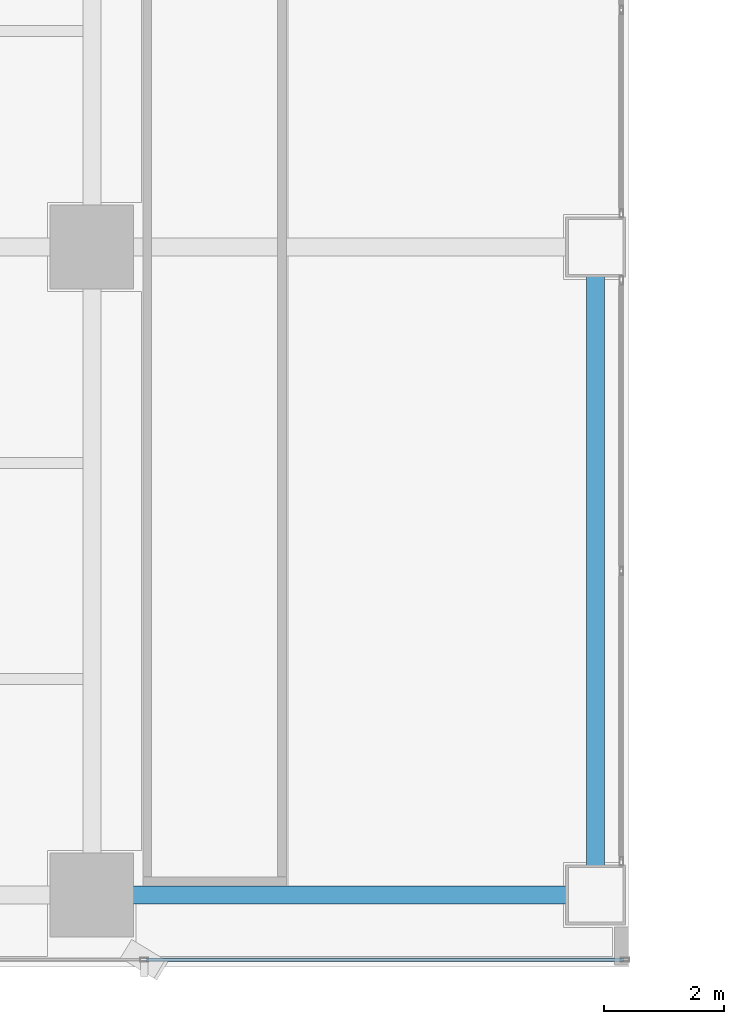
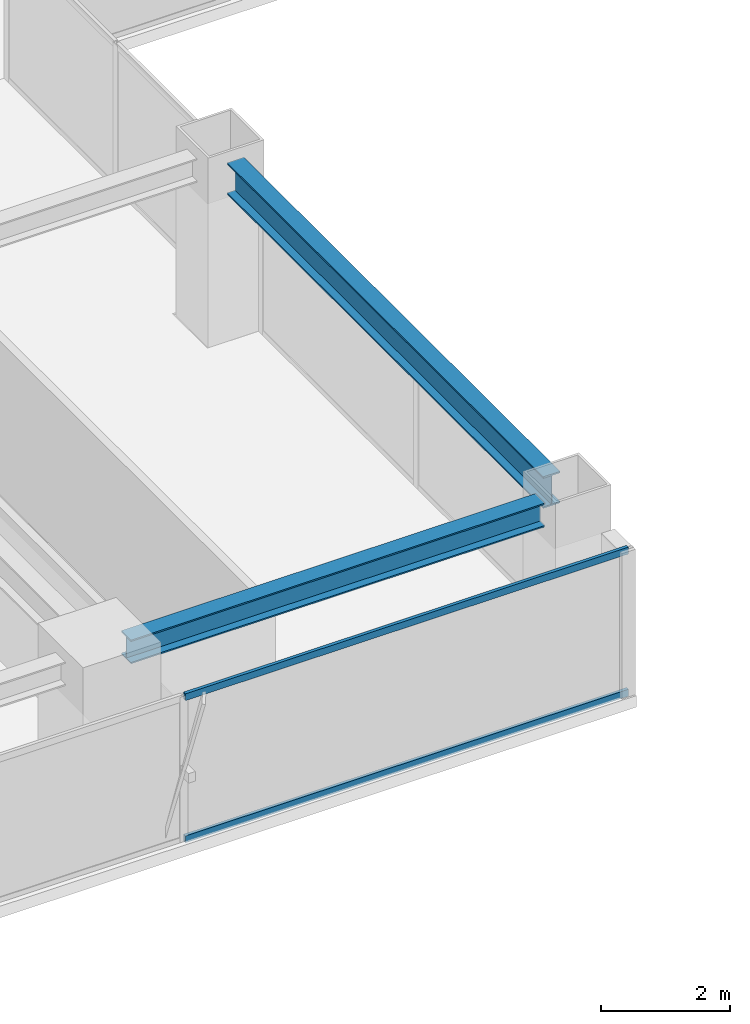
# One storey, part 3 of 29: 2 beams, 2 members, 1 element without a shape of its own.
"""IFC4 building model written with IfcOpenShell, lengths in metres."""

import ifcopenshell
import ifcopenshell.guid

model = None  # the IFC model being written
_history = None  # IfcOwnerHistory: only IFC2X3 demands one
_inside = {}  # id of a spatial element -> (the spatial element, [elements in it])
_under = {}  # id of a project, library or spatial element -> (it, [spatial elements below it])
_declared = {}  # id of a project -> (the project, [libraries it declares])
_typed = {}  # id of a type object -> (the type object, [elements of that type])
_made_of = {}  # id of a material, layer set ... -> (it, [elements and type objects made of it])


def new_model(schema):
    """Start an empty IFC model of exactly this schema.

    Asked for "IFC4X3", IfcOpenShell would pick the latest addendum, in which some entities
    have other attributes; the version numbers below select the first issue.
    IFC2X3 requires an IfcOwnerHistory on every rooted entity: one is made here for all.
    """
    global model, _history
    if schema == "IFC4X3":
        model = ifcopenshell.file(schema_version=(4, 3, 0, 0))
    else:
        model = ifcopenshell.file(schema=schema)
    _inside.clear()
    _under.clear()
    _declared.clear()
    _typed.clear()
    _made_of.clear()
    _history = None
    if model.schema == "IFC2X3":
        org = make("IfcOrganization", Name="unknown")
        user = make(
            "IfcPersonAndOrganization",
            ThePerson=make("IfcPerson", FamilyName="unknown"),
            TheOrganization=org,
        )
        app = make(
            "IfcApplication",
            ApplicationDeveloper=org,
            Version="unknown",
            ApplicationFullName="unknown",
            ApplicationIdentifier="unknown",
        )
        _history = make(
            "IfcOwnerHistory",
            OwningUser=user,
            OwningApplication=app,
            ChangeAction="ADDED",
            CreationDate=0,
        )
    return model


def make(cls, **values):
    """One entity of the class cls with the attributes given. An attribute that is None is left unset."""
    return model.create_entity(
        cls, **{name: value for name, value in values.items() if value is not None}
    )


def rooted(cls, **values):
    """An entity with a GlobalId (a new one), such as an element, a storey or a relation."""
    return make(cls, GlobalId=ifcopenshell.guid.new(), OwnerHistory=_history, **values)


def si_unit(unit_type, name, prefix=None):
    """IfcSIUnit, for example si_unit("LENGTHUNIT", "METRE", prefix="MILLI")."""
    return make("IfcSIUnit", UnitType=unit_type, Prefix=prefix, Name=name)


def assignment(units):
    """IfcUnitAssignment: the units of a project."""
    return None if units is None else make("IfcUnitAssignment", Units=units)


def point(xyz):
    """IfcCartesianPoint."""
    return None if xyz is None else make("IfcCartesianPoint", Coordinates=xyz)


def direction(xyz):
    """IfcDirection."""
    return None if xyz is None else make("IfcDirection", DirectionRatios=xyz)


def frame(location, z_axis=None, x_axis=None):
    """IfcAxis2Placement3D, a coordinate frame: its origin and axes. An axis left out is left unset."""
    return make(
        "IfcAxis2Placement3D",
        Location=point(location),
        Axis=direction(z_axis),
        RefDirection=direction(x_axis),
    )


def frame_2d(location, x_axis=None):
    """IfcAxis2Placement2D, a coordinate frame in the plane: its origin and x axis."""
    return make(
        "IfcAxis2Placement2D", Location=point(location), RefDirection=direction(x_axis)
    )


def origin():
    """The frame at (0, 0, 0) with its axes left unset."""
    return frame((0.0, 0.0, 0.0))


def origin_2d():
    """The frame at (0, 0) in the plane with its x axis left unset."""
    return frame_2d((0.0, 0.0))


def place(relative_to, where):
    """IfcLocalPlacement: puts the frame where relative to a parent placement (None: the world)."""
    return make(
        "IfcLocalPlacement", PlacementRelTo=relative_to, RelativePlacement=where
    )


def context(
    kind, dimensions, precision=None, world=None, true_north=None, identifier=None
):
    """IfcGeometricRepresentationContext, for example the 3D "Model" context."""
    return make(
        "IfcGeometricRepresentationContext",
        ContextIdentifier=identifier,
        ContextType=kind,
        CoordinateSpaceDimension=dimensions,
        Precision=precision,
        WorldCoordinateSystem=world,
        TrueNorth=true_north,
    )


def subcontext(parent, identifier, kind, view, scale=None):
    """IfcGeometricRepresentationSubContext, for example "Body" below "Model"."""
    return make(
        "IfcGeometricRepresentationSubContext",
        ContextIdentifier=identifier,
        ContextType=kind,
        ParentContext=parent,
        TargetScale=scale,
        TargetView=view,
    )


def project(units=None, contexts=None):
    """IfcProject with its units and contexts."""
    return rooted(
        "IfcProject",
        Name="project",
        RepresentationContexts=contexts,
        UnitsInContext=assignment(units),
    )


def spatial(cls, under=None, at=None, **own):
    """A site, building, storey or space (cls), placed at a placement, below another one or the project."""
    s = rooted(cls, ObjectPlacement=at, **own)
    if under is not None:
        _under.setdefault(under.id(), (under, []))[1].append(s)
    return s


def profile(cls, at=None, kind="AREA", **sizes):
    """A parametric profile (cls). Its sizes go by their IFC names, for example OverallWidth=200.0."""
    return make(cls, ProfileType=kind, Position=at, **sizes)


def hollow_rectangle(**sizes):
    """IfcRectangleHollowProfileDef."""
    return profile("IfcRectangleHollowProfileDef", **sizes)


def i_section(**sizes):
    """IfcIShapeProfileDef."""
    return profile("IfcIShapeProfileDef", **sizes)


def extrude(swept, where, along, depth):
    """IfcExtrudedAreaSolid: the profile swept, set in the frame where, extruded along a direction by depth."""
    return make(
        "IfcExtrudedAreaSolid",
        SweptArea=swept,
        Position=where,
        ExtrudedDirection=direction(along),
        Depth=depth,
    )


def shape(context_of_items, identifier, shape_type, items):
    """IfcShapeRepresentation: the items that make up one representation, for example the "Body"."""
    return make(
        "IfcShapeRepresentation",
        ContextOfItems=context_of_items,
        RepresentationIdentifier=identifier,
        RepresentationType=shape_type,
        Items=items,
    )


def source(mapping_origin, context_of_items, identifier, shape_type, items):
    """IfcRepresentationMap: a shape defined once, which mapped items show again and again."""
    return make(
        "IfcRepresentationMap",
        MappingOrigin=mapping_origin,
        MappedRepresentation=shape(context_of_items, identifier, shape_type, items),
    )


def transform(
    local_origin,
    x_axis=None,
    y_axis=None,
    z_axis=None,
    scale=None,
    scale2=None,
    scale3=None,
    uniform=True,
):
    """IfcCartesianTransformationOperator3D, or its non-uniform kind. x_axis, y_axis, z_axis: its Axis1, 2, 3."""
    if uniform:
        return make(
            "IfcCartesianTransformationOperator3D",
            Axis1=direction(x_axis),
            Axis2=direction(y_axis),
            LocalOrigin=point(local_origin),
            Scale=scale,
            Axis3=direction(z_axis),
        )
    return make(
        "IfcCartesianTransformationOperator3DnonUniform",
        Axis1=direction(x_axis),
        Axis2=direction(y_axis),
        LocalOrigin=point(local_origin),
        Scale=scale,
        Axis3=direction(z_axis),
        Scale2=scale2,
        Scale3=scale3,
    )


def mapped(mapping_source, mapping_target):
    """IfcMappedItem: shows the shape of a source again, moved by a transform."""
    return make(
        "IfcMappedItem", MappingSource=mapping_source, MappingTarget=mapping_target
    )


def material(Name=None, Category=None):
    """IfcMaterial."""
    return make("IfcMaterial", Name=Name, Category=Category)


def layer(
    of_material, thickness, ventilated=None, Name=None, Category=None, Priority=None
):
    """IfcMaterialLayer: one layer of a wall or slab, of a material (None: an air gap)."""
    return make(
        "IfcMaterialLayer",
        Material=of_material,
        LayerThickness=thickness,
        IsVentilated=ventilated,
        Name=Name,
        Category=Category,
        Priority=Priority,
    )


def layer_set(layers, Name=None):
    """IfcMaterialLayerSet."""
    return make("IfcMaterialLayerSet", MaterialLayers=layers, LayerSetName=Name)


def material_profile(
    of_material, cross_section, Name=None, Category=None, Priority=None
):
    """IfcMaterialProfile: a cross section and its material."""
    return make(
        "IfcMaterialProfile",
        Name=Name,
        Material=of_material,
        Profile=cross_section,
        Priority=Priority,
        Category=Category,
    )


def profile_set(profiles, Name=None, composite=None):
    """IfcMaterialProfileSet."""
    return make(
        "IfcMaterialProfileSet",
        Name=Name,
        MaterialProfiles=profiles,
        CompositeProfile=composite,
    )


def made_of(thing, what):
    """Note that an element or type object is made of a material, layer set ...; save() writes the relation."""
    if what is not None:
        _made_of.setdefault(what.id(), (what, []))[1].append(thing)
    return thing


def type_object(cls, material=None, **own):
    """A type object (cls), such as IfcWallType, which elements share."""
    return made_of(rooted(cls, **own), material)


def element(
    cls,
    number,
    at=None,
    inside=None,
    cuts=None,
    type_object=None,
    material=None,
    context=None,
    identifier="Body",
    shape_type=None,
    held_by="IfcProductDefinitionShape",
    body=None,
    shapes=None,
    **own,
):
    """One element of the class cls, such as IfcWall. Its Tag is "e" and its number.

    at: its placement. inside: the storey or other place that contains it. cuts: it is an
    opening in that element (IfcRelVoidsElement). A single representation is given by context,
    identifier, shape_type and body (its items); several are given by shapes. held_by: the class
    of the entity that holds the representations. save() writes the other relations.
    """
    e = rooted(cls, Tag="e%d" % number, ObjectPlacement=at, **own)
    if body is not None:
        shapes = [shape(context, identifier, shape_type, body)]
    if shapes is not None:
        e.Representation = make(held_by, Representations=shapes)
    if inside is not None:
        _inside.setdefault(inside.id(), (inside, []))[1].append(e)
    if cuts is not None:
        rooted(
            "IfcRelVoidsElement", RelatingBuildingElement=cuts, RelatedOpeningElement=e
        )
    if type_object is not None:
        _typed.setdefault(type_object.id(), (type_object, []))[1].append(e)
    return made_of(e, material)


def aggregate(whole, parts):
    """IfcRelAggregates: a whole, such as a stair, and the parts it consists of."""
    return rooted("IfcRelAggregates", RelatingObject=whole, RelatedObjects=parts)


def save(model, path):
    """Write the relations noted so far, then the file.

    IfcRelAggregates (storeys below a building ...), IfcRelContainedInSpatialStructure (elements
    in a storey), IfcRelDefinesByType, IfcRelAssociatesMaterial and IfcRelDeclares: one each for
    every whole, place, type object, material and project.
    """
    for whole, parts in _under.values():
        aggregate(whole, parts)
    for where, things in _inside.values():
        rooted(
            "IfcRelContainedInSpatialStructure",
            RelatedElements=things,
            RelatingStructure=where,
        )
    for kind, things in _typed.values():
        rooted("IfcRelDefinesByType", RelatedObjects=things, RelatingType=kind)
    for what, things in _made_of.values():
        rooted("IfcRelAssociatesMaterial", RelatedObjects=things, RelatingMaterial=what)
    for by, libraries in _declared.values():
        rooted("IfcRelDeclares", RelatingContext=by, RelatedDefinitions=libraries)
    model.write(path)


model = new_model("IFC4")

# Units and contexts
model_context = context("Model", 3, precision=1e-05, world=origin(), true_north=direction((0.0, 1.0)))
body_context = subcontext(model_context, "Body", "Model", "MODEL_VIEW")
ifc_project = project(units=[si_unit("LENGTHUNIT", "METRE"), si_unit("AREAUNIT", "SQUARE_METRE"), si_unit("VOLUMEUNIT", "CUBIC_METRE"), si_unit("PLANEANGLEUNIT", "RADIAN"), si_unit("MASSUNIT", "GRAM", prefix="KILO")], contexts=[model_context])

# Site, building, storey
site_placement = place(None, origin())
site = spatial("IfcSite", under=ifc_project, at=site_placement, CompositionType="ELEMENT")
building_placement = place(site_placement, origin())
building = spatial("IfcBuilding", under=site, at=building_placement, Name="Sumidabori Civic Tower", CompositionType="ELEMENT")
storey_placement = place(building_placement, frame((0.0, 0.0, 207.199951171875)))
storey = spatial("IfcBuildingStorey", under=building, at=storey_placement, Name="L53", CompositionType="ELEMENT", Elevation=207.199951171875)

# Beams
ifc_material_1 = material(Name="Steel SN490", Category="steel")
ifc_material_profile_1 = material_profile(ifc_material_1, i_section(OverallWidth=0.300048828125, OverallDepth=0.60009765625, WebThickness=0.015380859375, FlangeThickness=0.030029296875, at=origin_2d()), Name="HE 600 B")
ifc_profile_set_1 = profile_set([ifc_material_profile_1], Name="Steel SN490")
beam_type_1 = type_object("IfcBeamType", Name="BM-GIRD-600", PredefinedType="BEAM", material=ifc_profile_set_1)
shared_shape_1 = source(origin(), body_context, "Body", "SweptSolid", [
    extrude(i_section(OverallWidth=0.300048828125, OverallDepth=0.60009765625, WebThickness=0.015380859375, FlangeThickness=0.030029296875, at=origin_2d()), origin(), (0.0, 0.0, 1.0), 9.840087890625),
])
beam_1_placement = place(storey_placement, frame((-8.39990234375, -10.320068359375, 3.080078125), z_axis=(0.0, 1.0, 0.0), x_axis=(-1.0, 0.0, 0.0)))
element("IfcBeam", 1, at=beam_1_placement, inside=storey, type_object=beam_type_1, Name="Primary Girder L53 GY-17", PredefinedType="BEAM", context=body_context, shape_type="MappedRepresentation", body=[
    mapped(shared_shape_1, transform((0.0, 0.0, 0.0), x_axis=(1.0, 0.0, 0.0), y_axis=(0.0, 1.0, 0.0), z_axis=(0.0, 0.0, 1.0), scale=1.0)),
])
ifc_material_profile_2 = material_profile(ifc_material_1, i_section(OverallWidth=0.300048828125, OverallDepth=0.449951171875, WebThickness=0.013916015625, FlangeThickness=0.02587890625, at=origin_2d()), Name="HE 450 B")
ifc_profile_set_2 = profile_set([ifc_material_profile_2], Name="Steel SN490")
beam_type_2 = type_object("IfcBeamType", Name="BM-GIRD-450", PredefinedType="BEAM", material=ifc_profile_set_2)
shared_shape_2 = source(origin(), body_context, "Body", "SweptSolid", [
    extrude(i_section(OverallWidth=0.300048828125, OverallDepth=0.449951171875, WebThickness=0.013916015625, FlangeThickness=0.02587890625, at=origin_2d()), origin(), (0.0, 0.0, 1.0), 7.440185546875),
])
beam_2_placement = place(storey_placement, frame((-16.320068359375, -10.800048828125, 3.155029296875), z_axis=(1.0, 0.0, 0.0), x_axis=(0.0, 1.0, 0.0)))
element("IfcBeam", 2, at=beam_2_placement, inside=storey, type_object=beam_type_2, Name="Primary Girder L53 GX-02", PredefinedType="BEAM", context=body_context, shape_type="MappedRepresentation", body=[
    mapped(shared_shape_2, transform((0.0, 0.0, 0.0), x_axis=(1.0, 0.0, 0.0), y_axis=(0.0, 1.0, 0.0), z_axis=(0.0, 0.0, 1.0), scale=1.0)),
])

# Curtain wall, members
ifc_material_2 = material(Name="Anodised Bronze Aluminium AW-6063-T6", Category="aluminium")
ifc_layer = layer(ifc_material_2, 0.179931640625, Name="Anodised Bronze Aluminium AW-6063-T6")
ifc_layer_set = layer_set([ifc_layer], Name="Anodised Bronze Aluminium AW-6063-T6")
curtain_wall_type = type_object("IfcCurtainWallType", Name="CW-SYS-5", PredefinedType="NOTDEFINED", material=ifc_layer_set)
curtain_wall_placement = place(storey_placement, origin())
curtain_wall = element("IfcCurtainWall", 3, at=curtain_wall_placement, inside=storey, type_object=curtain_wall_type, Name="Curtain Wall CW:L53:R01", PredefinedType="NOTDEFINED")
ifc_material_profile_3 = material_profile(ifc_material_2, hollow_rectangle(XDim=0.06005859375, YDim=0.1298828125, WallThickness=0.0048828125, at=origin_2d()), Name="ALU TRANSOM 130x60")
ifc_profile_set_3 = profile_set([ifc_material_profile_3], Name="Anodised Bronze Aluminium AW-6063-T6")
member_type = type_object("IfcMemberType", Name="CW-TRN-130", PredefinedType="USERDEFINED", material=ifc_profile_set_3)
shared_shape_3 = source(origin(), body_context, "Body", "SweptSolid", [
    extrude(hollow_rectangle(XDim=0.06005859375, YDim=0.1298828125, WallThickness=0.0048828125, at=origin_2d()), origin(), (0.0, 0.0, 1.0), 7.955078125),
])
member_1_placement = place(storey_placement, frame((-15.89501953125, -11.8798828125, 0.030029296875), z_axis=(1.0, 0.0, 0.0), x_axis=(0.0, 1.0, 0.0)))
member_1 = element("IfcMember", 4, at=member_1_placement, type_object=member_type, Name="CW-5 transom 2.1", ObjectType="TRANSOM", PredefinedType="USERDEFINED", context=body_context, shape_type="MappedRepresentation", body=[
    mapped(shared_shape_3, transform((0.0, 0.0, 0.0), x_axis=(1.0, 0.0, 0.0), y_axis=(0.0, 1.0, 0.0), z_axis=(0.0, 0.0, 1.0), scale=1.0)),
])
member_2_placement = place(storey_placement, frame((-15.89501953125, -11.8798828125, 2.72998046875), z_axis=(1.0, 0.0, 0.0), x_axis=(0.0, 1.0, 0.0)))
member_2 = element("IfcMember", 5, at=member_2_placement, type_object=member_type, Name="CW-5 transom 2.2", ObjectType="TRANSOM", PredefinedType="USERDEFINED", context=body_context, shape_type="MappedRepresentation", body=[
    mapped(shared_shape_3, transform((0.0, 0.0, 0.0), x_axis=(1.0, 0.0, 0.0), y_axis=(0.0, 1.0, 0.0), z_axis=(0.0, 0.0, 1.0), scale=1.0)),
])
aggregate(curtain_wall, [member_1, member_2])

save(model, "model.ifc")
